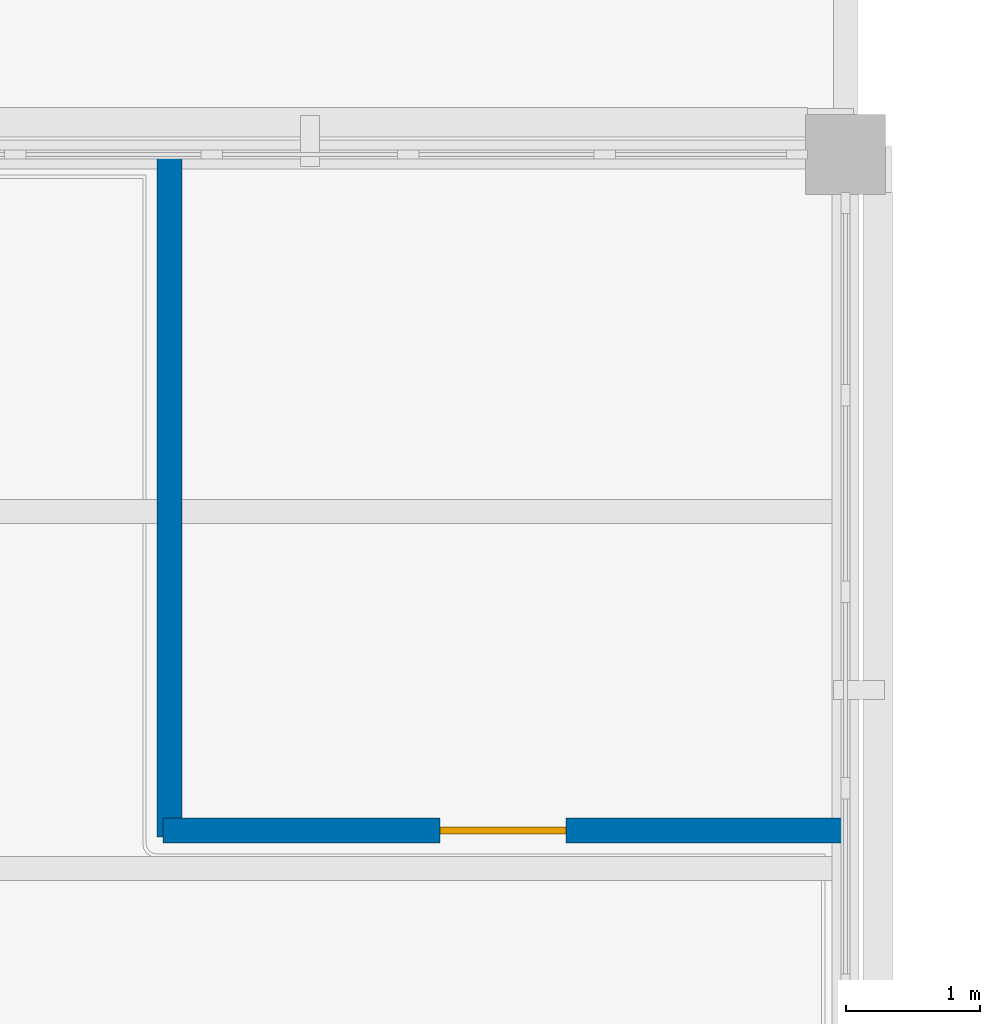
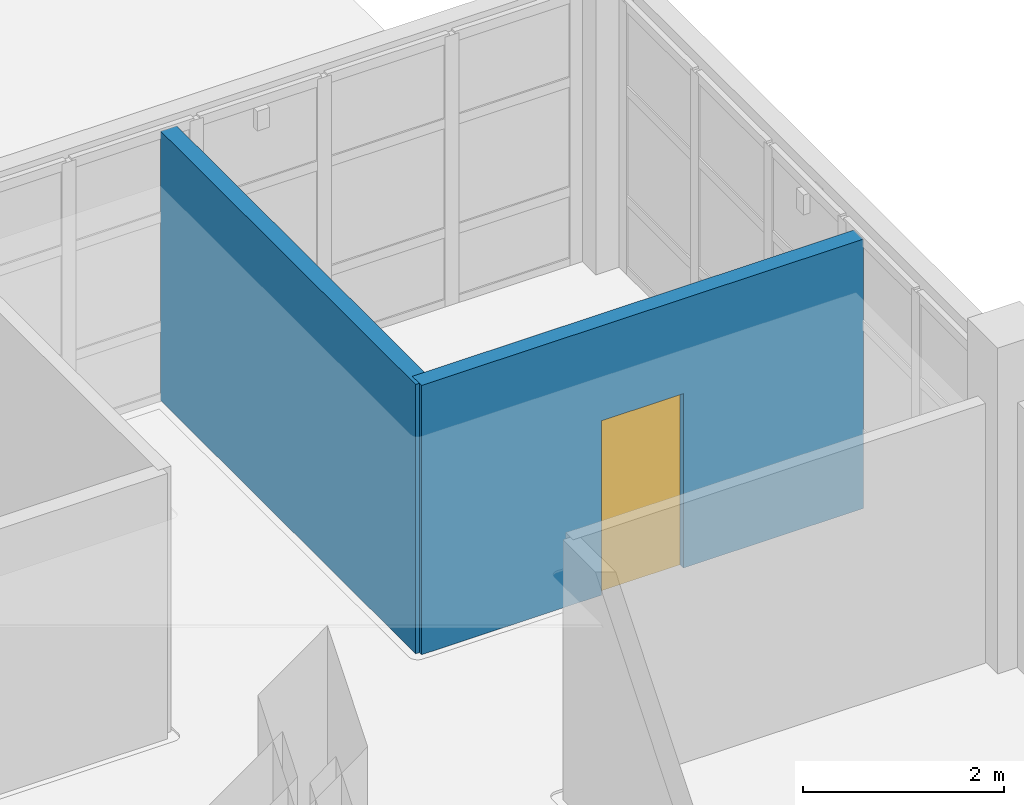
# One storey, part 93 of 126: 2 walls, 1 door, 1 opening.
"""IFC4 building model written with IfcOpenShell, lengths in metres."""

import ifcopenshell
import ifcopenshell.guid

model = None  # the IFC model being written
_history = None  # IfcOwnerHistory: only IFC2X3 demands one
_inside = {}  # id of a spatial element -> (the spatial element, [elements in it])
_under = {}  # id of a project, library or spatial element -> (it, [spatial elements below it])
_declared = {}  # id of a project -> (the project, [libraries it declares])
_typed = {}  # id of a type object -> (the type object, [elements of that type])
_made_of = {}  # id of a material, layer set ... -> (it, [elements and type objects made of it])


def new_model(schema):
    """Start an empty IFC model of exactly this schema.

    Asked for "IFC4X3", IfcOpenShell would pick the latest addendum, in which some entities
    have other attributes; the version numbers below select the first issue.
    IFC2X3 requires an IfcOwnerHistory on every rooted entity: one is made here for all.
    """
    global model, _history
    if schema == "IFC4X3":
        model = ifcopenshell.file(schema_version=(4, 3, 0, 0))
    else:
        model = ifcopenshell.file(schema=schema)
    _inside.clear()
    _under.clear()
    _declared.clear()
    _typed.clear()
    _made_of.clear()
    _history = None
    if model.schema == "IFC2X3":
        org = make("IfcOrganization", Name="unknown")
        user = make(
            "IfcPersonAndOrganization",
            ThePerson=make("IfcPerson", FamilyName="unknown"),
            TheOrganization=org,
        )
        app = make(
            "IfcApplication",
            ApplicationDeveloper=org,
            Version="unknown",
            ApplicationFullName="unknown",
            ApplicationIdentifier="unknown",
        )
        _history = make(
            "IfcOwnerHistory",
            OwningUser=user,
            OwningApplication=app,
            ChangeAction="ADDED",
            CreationDate=0,
        )
    return model


def make(cls, **values):
    """One entity of the class cls with the attributes given. An attribute that is None is left unset."""
    return model.create_entity(
        cls, **{name: value for name, value in values.items() if value is not None}
    )


def rooted(cls, **values):
    """An entity with a GlobalId (a new one), such as an element, a storey or a relation."""
    return make(cls, GlobalId=ifcopenshell.guid.new(), OwnerHistory=_history, **values)


def si_unit(unit_type, name, prefix=None):
    """IfcSIUnit, for example si_unit("LENGTHUNIT", "METRE", prefix="MILLI")."""
    return make("IfcSIUnit", UnitType=unit_type, Prefix=prefix, Name=name)


def derived_unit(unit_type, elements):
    """IfcDerivedUnit: a product of units, each with its exponent."""
    return make(
        "IfcDerivedUnit",
        Elements=[
            make("IfcDerivedUnitElement", Unit=unit, Exponent=power)
            for unit, power in elements
        ],
        UnitType=unit_type,
    )


def assignment(units):
    """IfcUnitAssignment: the units of a project."""
    return None if units is None else make("IfcUnitAssignment", Units=units)


def point(xyz):
    """IfcCartesianPoint."""
    return None if xyz is None else make("IfcCartesianPoint", Coordinates=xyz)


def direction(xyz):
    """IfcDirection."""
    return None if xyz is None else make("IfcDirection", DirectionRatios=xyz)


def frame(location, z_axis=None, x_axis=None):
    """IfcAxis2Placement3D, a coordinate frame: its origin and axes. An axis left out is left unset."""
    return make(
        "IfcAxis2Placement3D",
        Location=point(location),
        Axis=direction(z_axis),
        RefDirection=direction(x_axis),
    )


def frame_2d(location, x_axis=None):
    """IfcAxis2Placement2D, a coordinate frame in the plane: its origin and x axis."""
    return make(
        "IfcAxis2Placement2D", Location=point(location), RefDirection=direction(x_axis)
    )


def origin():
    """The frame at (0, 0, 0) with its axes left unset."""
    return frame((0.0, 0.0, 0.0))


def place(relative_to, where):
    """IfcLocalPlacement: puts the frame where relative to a parent placement (None: the world)."""
    return make(
        "IfcLocalPlacement", PlacementRelTo=relative_to, RelativePlacement=where
    )


def context(
    kind, dimensions, precision=None, world=None, true_north=None, identifier=None
):
    """IfcGeometricRepresentationContext, for example the 3D "Model" context."""
    return make(
        "IfcGeometricRepresentationContext",
        ContextIdentifier=identifier,
        ContextType=kind,
        CoordinateSpaceDimension=dimensions,
        Precision=precision,
        WorldCoordinateSystem=world,
        TrueNorth=true_north,
    )


def subcontext(parent, identifier, kind, view, scale=None):
    """IfcGeometricRepresentationSubContext, for example "Body" below "Model"."""
    return make(
        "IfcGeometricRepresentationSubContext",
        ContextIdentifier=identifier,
        ContextType=kind,
        ParentContext=parent,
        TargetScale=scale,
        TargetView=view,
    )


def project(units=None, contexts=None):
    """IfcProject with its units and contexts."""
    return rooted(
        "IfcProject",
        Name="project",
        RepresentationContexts=contexts,
        UnitsInContext=assignment(units),
    )


def spatial(cls, under=None, at=None, **own):
    """A site, building, storey or space (cls), placed at a placement, below another one or the project."""
    s = rooted(cls, ObjectPlacement=at, **own)
    if under is not None:
        _under.setdefault(under.id(), (under, []))[1].append(s)
    return s


def profile(cls, at=None, kind="AREA", **sizes):
    """A parametric profile (cls). Its sizes go by their IFC names, for example OverallWidth=200.0."""
    return make(cls, ProfileType=kind, Position=at, **sizes)


def rectangle(**sizes):
    """IfcRectangleProfileDef."""
    return profile("IfcRectangleProfileDef", **sizes)


def extrude(swept, where, along, depth):
    """IfcExtrudedAreaSolid: the profile swept, set in the frame where, extruded along a direction by depth."""
    return make(
        "IfcExtrudedAreaSolid",
        SweptArea=swept,
        Position=where,
        ExtrudedDirection=direction(along),
        Depth=depth,
    )


def shape(context_of_items, identifier, shape_type, items):
    """IfcShapeRepresentation: the items that make up one representation, for example the "Body"."""
    return make(
        "IfcShapeRepresentation",
        ContextOfItems=context_of_items,
        RepresentationIdentifier=identifier,
        RepresentationType=shape_type,
        Items=items,
    )


def material(Name=None, Category=None):
    """IfcMaterial."""
    return make("IfcMaterial", Name=Name, Category=Category)


def layer(
    of_material, thickness, ventilated=None, Name=None, Category=None, Priority=None
):
    """IfcMaterialLayer: one layer of a wall or slab, of a material (None: an air gap)."""
    return make(
        "IfcMaterialLayer",
        Material=of_material,
        LayerThickness=thickness,
        IsVentilated=ventilated,
        Name=Name,
        Category=Category,
        Priority=Priority,
    )


def layer_set(layers, Name=None):
    """IfcMaterialLayerSet."""
    return make("IfcMaterialLayerSet", MaterialLayers=layers, LayerSetName=Name)


def made_of(thing, what):
    """Note that an element or type object is made of a material, layer set ...; save() writes the relation."""
    if what is not None:
        _made_of.setdefault(what.id(), (what, []))[1].append(thing)
    return thing


def type_object(cls, material=None, **own):
    """A type object (cls), such as IfcWallType, which elements share."""
    return made_of(rooted(cls, **own), material)


def element(
    cls,
    number,
    at=None,
    inside=None,
    cuts=None,
    type_object=None,
    material=None,
    context=None,
    identifier="Body",
    shape_type=None,
    held_by="IfcProductDefinitionShape",
    body=None,
    shapes=None,
    **own,
):
    """One element of the class cls, such as IfcWall. Its Tag is "e" and its number.

    at: its placement. inside: the storey or other place that contains it. cuts: it is an
    opening in that element (IfcRelVoidsElement). A single representation is given by context,
    identifier, shape_type and body (its items); several are given by shapes. held_by: the class
    of the entity that holds the representations. save() writes the other relations.
    """
    e = rooted(cls, Tag="e%d" % number, ObjectPlacement=at, **own)
    if body is not None:
        shapes = [shape(context, identifier, shape_type, body)]
    if shapes is not None:
        e.Representation = make(held_by, Representations=shapes)
    if inside is not None:
        _inside.setdefault(inside.id(), (inside, []))[1].append(e)
    if cuts is not None:
        rooted(
            "IfcRelVoidsElement", RelatingBuildingElement=cuts, RelatedOpeningElement=e
        )
    if type_object is not None:
        _typed.setdefault(type_object.id(), (type_object, []))[1].append(e)
    return made_of(e, material)


def fill(opening, filler):
    """IfcRelFillsElement: the door or window that sits in an opening."""
    return rooted(
        "IfcRelFillsElement",
        RelatingOpeningElement=opening,
        RelatedBuildingElement=filler,
    )


def aggregate(whole, parts):
    """IfcRelAggregates: a whole, such as a stair, and the parts it consists of."""
    return rooted("IfcRelAggregates", RelatingObject=whole, RelatedObjects=parts)


def save(model, path):
    """Write the relations noted so far, then the file.

    IfcRelAggregates (storeys below a building ...), IfcRelContainedInSpatialStructure (elements
    in a storey), IfcRelDefinesByType, IfcRelAssociatesMaterial and IfcRelDeclares: one each for
    every whole, place, type object, material and project.
    """
    for whole, parts in _under.values():
        aggregate(whole, parts)
    for where, things in _inside.values():
        rooted(
            "IfcRelContainedInSpatialStructure",
            RelatedElements=things,
            RelatingStructure=where,
        )
    for kind, things in _typed.values():
        rooted("IfcRelDefinesByType", RelatedObjects=things, RelatingType=kind)
    for what, things in _made_of.values():
        rooted("IfcRelAssociatesMaterial", RelatedObjects=things, RelatingMaterial=what)
    for by, libraries in _declared.values():
        rooted("IfcRelDeclares", RelatingContext=by, RelatedDefinitions=libraries)
    model.write(path)


model = new_model("IFC4")

# Units and contexts
model_context = context("Model", 3, precision=1e-05, world=origin(), true_north=direction((0.0, 1.0)))
body_context = subcontext(model_context, "Body", "Model", "MODEL_VIEW")
ifc_project = project(units=[si_unit("LENGTHUNIT", "METRE"), si_unit("AREAUNIT", "SQUARE_METRE"), si_unit("VOLUMEUNIT", "CUBIC_METRE"), si_unit("PLANEANGLEUNIT", "RADIAN"), si_unit("MASSUNIT", "GRAM", prefix="KILO"), derived_unit("THERMALTRANSMITTANCEUNIT", [(si_unit("MASSUNIT", "GRAM", prefix="KILO"), 1), (si_unit("TIMEUNIT", "SECOND"), -3), (si_unit("THERMODYNAMICTEMPERATUREUNIT", "KELVIN"), -1)])], contexts=[model_context])

# Site, building, storey
site_placement = place(None, origin())
site = spatial("IfcSite", under=ifc_project, at=site_placement, CompositionType="ELEMENT")
building_placement = place(site_placement, origin())
building = spatial("IfcBuilding", under=site, at=building_placement, Name="Veyamyaing Civic Hall", CompositionType="ELEMENT")
storey_placement = place(building_placement, frame((0.0, 0.0, 9.89990234375)))
storey = spatial("IfcBuildingStorey", under=building, at=storey_placement, Name="L02", CompositionType="ELEMENT", Elevation=9.89990234375)

# Wall, opening, door
ifc_material_1 = material(Name="Gypsum board on double acoustic stud")
ifc_layer = layer(ifc_material_1, 0.18505859375, Name="Gypsum board on double acoustic stud")
ifc_layer_set = layer_set([ifc_layer], Name="Gypsum board on double acoustic stud")
wall_type = type_object("IfcWallType", Name="WT-19", PredefinedType="PARTITIONING", material=ifc_layer_set)
wall_1_placement = place(storey_placement, frame((114.89990234375, 58.949951171875, 0.0), z_axis=(0.0, 0.0, 1.0), x_axis=(1.0, 0.0, 0.0)))
wall_1 = element("IfcWall", 1, at=wall_1_placement, inside=storey, type_object=wall_type, Name="Corridor gallery partition WT-19 L02.46.1", PredefinedType="PARTITIONING", context=body_context, shape_type="SweptSolid", body=[
    extrude(rectangle(XDim=5.080078125, YDim=0.18505859375, at=frame_2d((2.5400390625, 0.0))), origin(), (0.0, 0.0, 1.0), 3.273193359375),
])
opening_placement = place(wall_1_placement, frame((2.070068359375, 0.0, 0.0)))
opening = element("IfcOpeningElement", 2, at=opening_placement, cuts=wall_1, Name="Opening D-30", PredefinedType="OPENING", context=body_context, shape_type="SweptSolid", body=[
    extrude(rectangle(XDim=0.93994140625, YDim=2.1201171875, at=frame_2d((0.469970703125, 1.06005859375))), frame((0.0, 0.1025390625, 0.0), z_axis=(0.0, -1.0, 0.0), x_axis=(1.0, 0.0, 0.0)), (0.0, 0.0, 1.0), 0.205078125),
])
ifc_material_2 = material(Name="Teak-veneered acoustic timber", Category="wood")
door_type = type_object("IfcDoorType", Name="D-30", OperationType="NOTDEFINED", PredefinedType="DOOR", material=ifc_material_2)
door_placement = place(opening_placement, origin())
door = element("IfcDoor", 3, at=door_placement, inside=storey, type_object=door_type, Name="Gallery office door D-30 L02.46", OperationType="SINGLE_SWING_RIGHT", OverallHeight=2.1201171875, OverallWidth=0.93994140625, PredefinedType="DOOR", context=body_context, shape_type="SweptSolid", body=[
    extrude(rectangle(XDim=0.93994140625, YDim=2.1201171875, at=frame_2d((0.469970703125, 1.06005859375))), frame((0.0, 0.02490234375, 0.0), z_axis=(0.0, -1.0, 0.0), x_axis=(1.0, 0.0, 0.0)), (0.0, 0.0, 1.0), 0.050048828125),
])
fill(opening, door)

# Wall
wall_2_placement = place(storey_placement, frame((114.949951171875, 58.89990234375, 0.0), z_axis=(0.0, 0.0, 1.0), x_axis=(0.0, 1.0, 0.0)))
element("IfcWall", 4, at=wall_2_placement, inside=storey, type_object=wall_type, Name="Corridor gallery partition WT-19 L02.46.2", PredefinedType="PARTITIONING", context=body_context, shape_type="SweptSolid", body=[
    extrude(rectangle(XDim=5.080078125, YDim=0.18505859375, at=frame_2d((2.5400390625, 0.0))), origin(), (0.0, 0.0, 1.0), 3.273193359375),
])

save(model, "model.ifc")
